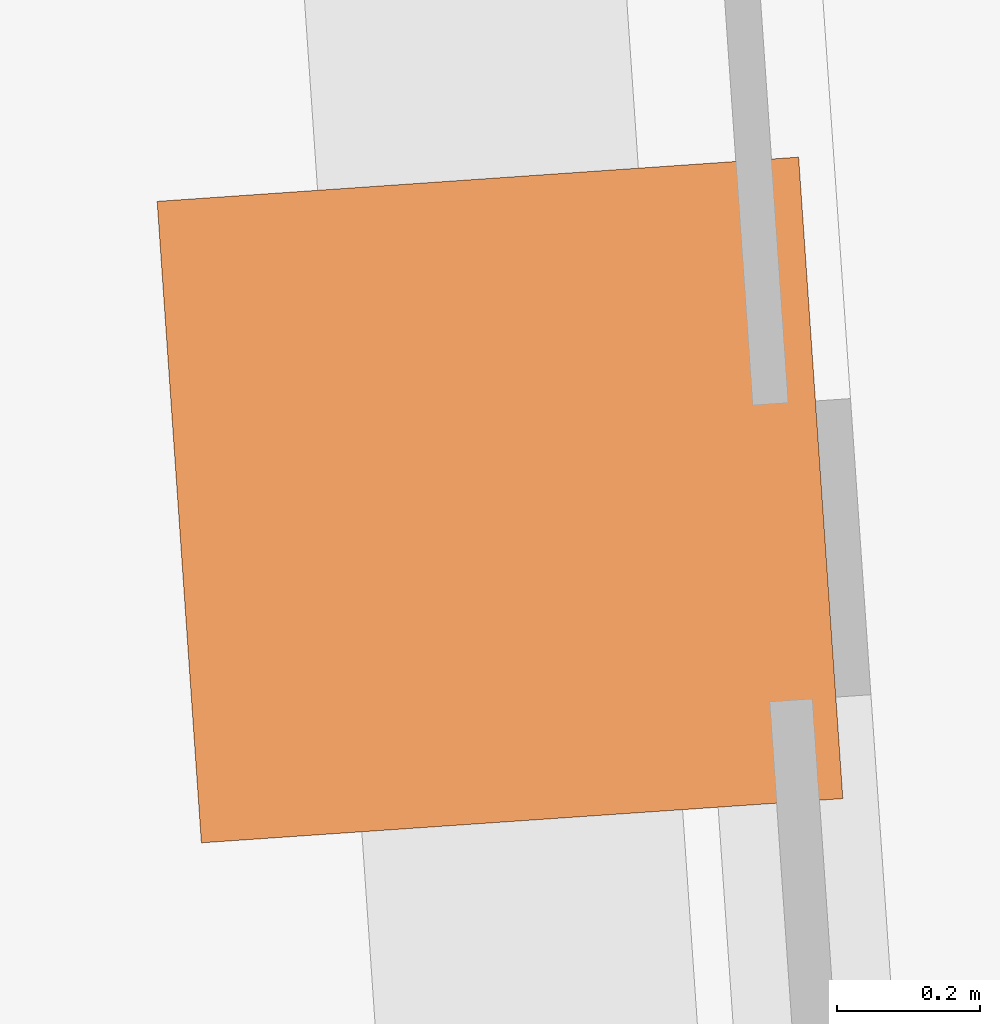
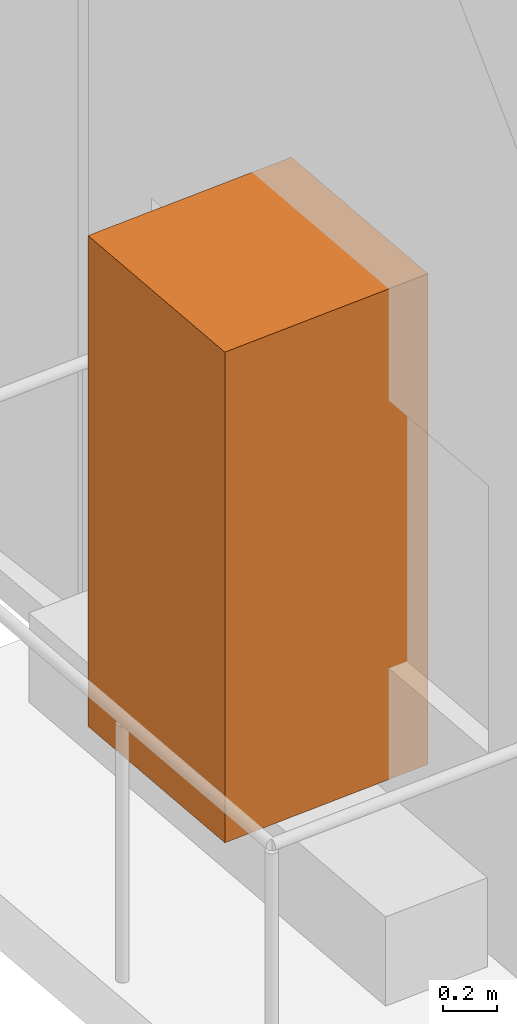
# One storey, part 15 of 15: 1 geographic element.
"""IFC4 building model written with IfcOpenShell, lengths in metres."""

from ifc_helpers import new_model, si_unit, direction, frame, origin, origin_2d, place, context, subcontext, project, spatial, rectangle, extrude, material, type_object, element, save


model = new_model("IFC4")

# Units and contexts
model_context = context("Model", 3, precision=1e-05, world=origin(), true_north=direction((0.0, 1.0)))
body_context = subcontext(model_context, "Body", "Model", "MODEL_VIEW")
ifc_project = project(units=[si_unit("LENGTHUNIT", "METRE"), si_unit("AREAUNIT", "SQUARE_METRE"), si_unit("VOLUMEUNIT", "CUBIC_METRE"), si_unit("PLANEANGLEUNIT", "RADIAN"), si_unit("MASSUNIT", "GRAM", prefix="KILO")], contexts=[model_context])

# Site, building, storey
site_placement = place(None, origin())
site = spatial("IfcSite", under=ifc_project, at=site_placement, CompositionType="ELEMENT")
building_placement = place(site_placement, origin())
building = spatial("IfcBuilding", under=site, at=building_placement, Name="Verdant Reach Tower", CompositionType="ELEMENT")
storey_placement = place(building_placement, frame((0.0, 0.0, 233.0)))
storey = spatial("IfcBuildingStorey", under=building, at=storey_placement, Name="L53", CompositionType="ELEMENT", Elevation=233.0)

# Geographic element
ifc_material = material(Name="Planting")
geographic_element_type = type_object("IfcGeographicElementType", Name="EN-TREE", PredefinedType="USERDEFINED", material=ifc_material)
geographic_element_placement = place(storey_placement, frame((-23.962158203125, 55.19775390625, 0.39990234375), z_axis=(0.0, 0.0, 1.0), x_axis=(0.068802091615, -0.997630328423, 0.0)))
element("IfcGeographicElement", 1, at=geographic_element_placement, inside=storey, type_object=geographic_element_type, Name="Balcony tree, Yellow trumpet tree (Handroanthus albus), L53 1", ObjectType="TREE", PredefinedType="USERDEFINED", context=body_context, shape_type="SweptSolid", body=[
    extrude(rectangle(XDim=0.89990234375, YDim=0.89990234375, at=origin_2d()), origin(), (0.0, 0.0, 1.0), 2.199951171875),
])

save(model, "model.ifc")
